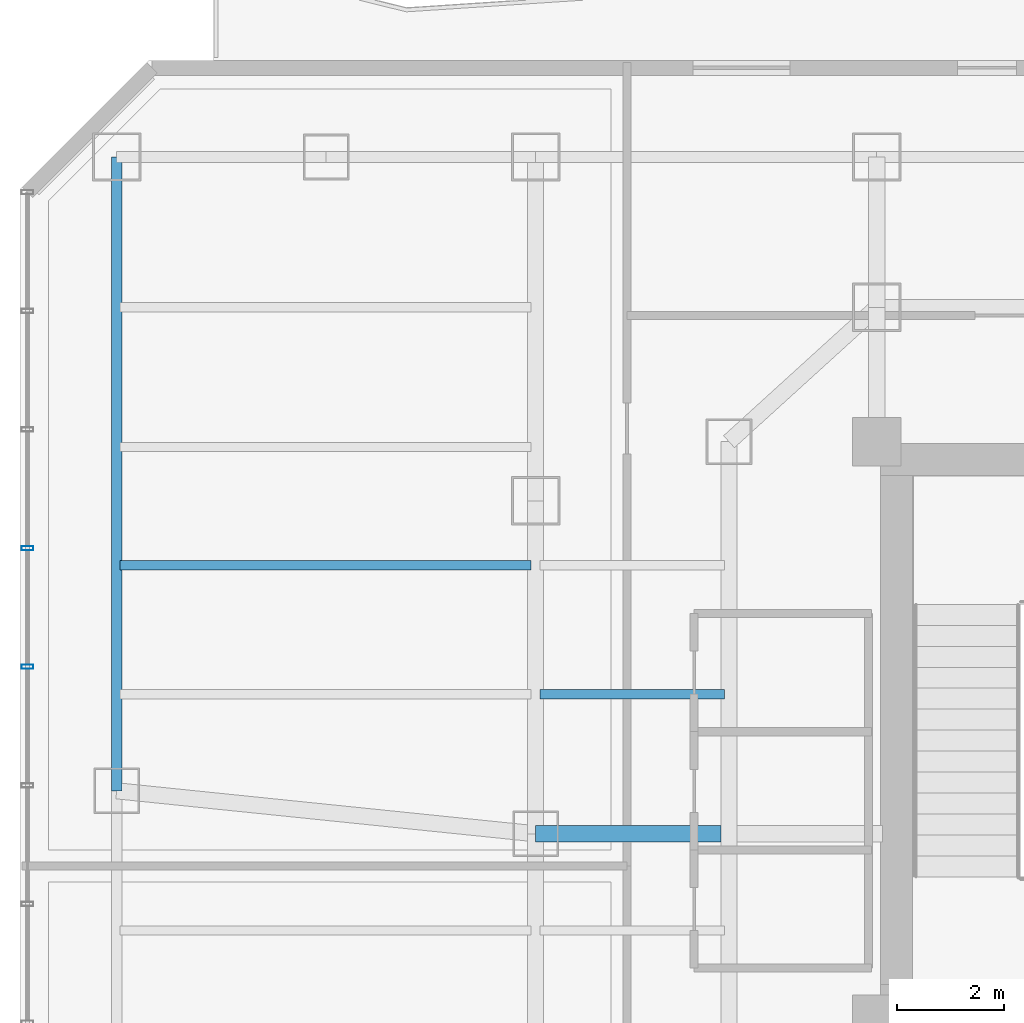
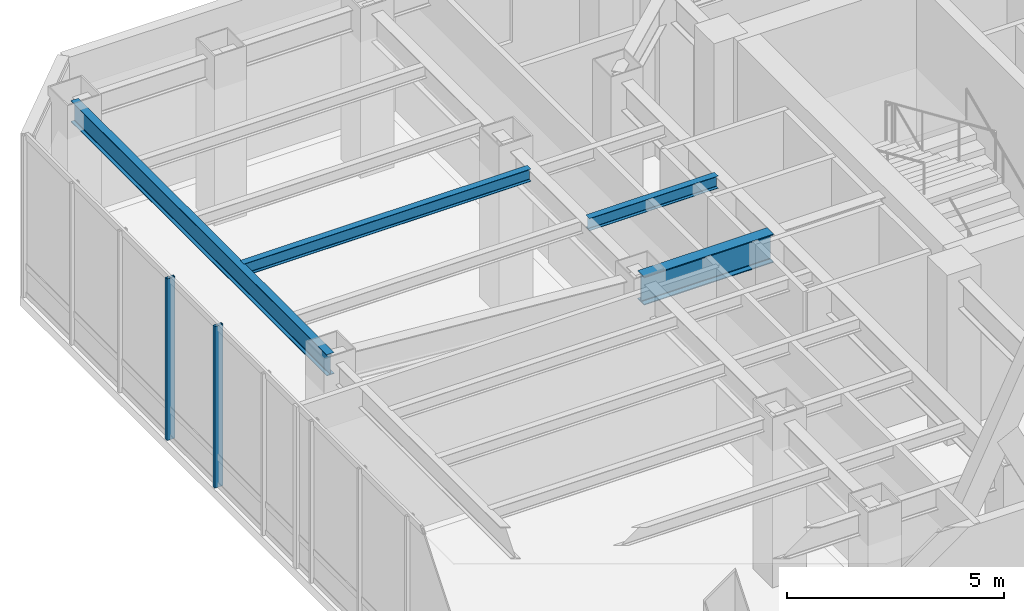
# One storey, part 13 of 27: 4 beams, 2 members, 1 element without a shape of its own.
"""IFC4 building model written with IfcOpenShell, lengths in metres."""

from ifc_helpers import new_model, si_unit, direction, frame, origin, origin_2d, place, context, subcontext, project, spatial, hollow_rectangle, i_section, extrude, material, layer, layer_set, material_profile, profile_set, type_object, element, aggregate, save


model = new_model("IFC4")

# Units and contexts
model_context = context("Model", 3, precision=1e-05, world=origin(), true_north=direction((0.0, 1.0)))
body_context = subcontext(model_context, "Body", "Model", "MODEL_VIEW")
ifc_project = project(units=[si_unit("LENGTHUNIT", "METRE"), si_unit("AREAUNIT", "SQUARE_METRE"), si_unit("VOLUMEUNIT", "CUBIC_METRE"), si_unit("PLANEANGLEUNIT", "RADIAN"), si_unit("MASSUNIT", "GRAM", prefix="KILO")], contexts=[model_context])

# Site, building, storey
site_placement = place(None, origin())
site = spatial("IfcSite", under=ifc_project, at=site_placement, CompositionType="ELEMENT")
building_placement = place(site_placement, origin())
building = spatial("IfcBuilding", under=site, at=building_placement, Name="Hatsunagi Terrace Concourse", CompositionType="ELEMENT")
storey_placement = place(building_placement, frame((0.0, 0.0, 96.449951171875)))
storey = spatial("IfcBuildingStorey", under=building, at=storey_placement, Name="L25", CompositionType="ELEMENT", Elevation=96.449951171875)

# Curtain wall, members
ifc_material_1 = material(Name="Anodised Aluminium Alloy 6063-T5", Category="aluminium")
ifc_layer = layer(ifc_material_1, 0.199951171875)
ifc_layer_set = layer_set([ifc_layer], Name="SkyLobbyAtrium_CW05")
curtain_wall_type = type_object("IfcCurtainWallType", Name="SkyLobbyAtrium_CW05", PredefinedType="NOTDEFINED", material=ifc_layer_set)
curtain_wall_placement = place(storey_placement, origin())
curtain_wall = element("IfcCurtainWall", 1, at=curtain_wall_placement, inside=storey, type_object=curtain_wall_type, Name="Unitised Curtain Wall CW-05 CW-L25-09", PredefinedType="NOTDEFINED")
ifc_material_2 = material(Name="Anodised Aluminium Alloy 6063-T5", Category="aluminium")
ifc_material_profile_1 = material_profile(ifc_material_2, hollow_rectangle(XDim=0.080078125, YDim=0.219970703125, WallThickness=0.0048828125, at=origin_2d()), Name="ALU-MUL-220x80x5")
ifc_profile_set_1 = profile_set([ifc_material_profile_1], Name="Anodised Aluminium Alloy 6063-T5")
member_type = type_object("IfcMemberType", Name="CurtainWallMullion_Heavy_220x80", PredefinedType="MULLION", material=ifc_profile_set_1)
member_1_placement = place(storey_placement, frame((9.739990234375, 39.10791015625, 0.0), z_axis=(0.0, 0.0, 1.0), x_axis=(0.0, 1.0, 0.0)))
member_1 = element("IfcMember", 2, at=member_1_placement, type_object=member_type, Name="Curtain Wall Mullion MUL-01", PredefinedType="MULLION", context=body_context, shape_type="SweptSolid", body=[
    extrude(hollow_rectangle(XDim=0.080078125, YDim=0.219970703125, WallThickness=0.0048828125, at=origin_2d()), origin(), (0.0, 0.0, 1.0), 4.550048828125),
])
member_2_placement = place(storey_placement, frame((9.739990234375, 41.31689453125, 0.0), z_axis=(0.0, 0.0, 1.0), x_axis=(0.0, 1.0, 0.0)))
member_2 = element("IfcMember", 3, at=member_2_placement, type_object=member_type, Name="Curtain Wall Mullion MUL-01", PredefinedType="MULLION", context=body_context, shape_type="SweptSolid", body=[
    extrude(hollow_rectangle(XDim=0.080078125, YDim=0.219970703125, WallThickness=0.0048828125, at=origin_2d()), origin(), (0.0, 0.0, 1.0), 4.550048828125),
])
aggregate(curtain_wall, [member_1, member_2])

# Beams
ifc_material_3 = material(Name="Steel SN490B", Category="steel")
ifc_material_profile_2 = material_profile(ifc_material_3, i_section(OverallWidth=0.175048828125, OverallDepth=0.35009765625, WebThickness=0.007080078125, FlangeThickness=0.010986328125, FilletRadius=0.012939453125, at=origin_2d()), Name="H-350x175x7x11")
ifc_profile_set_2 = profile_set([ifc_material_profile_2], Name="Steel SN490B")
beam_type_1 = type_object("IfcBeamType", Name="HotelJoist_H_350x175", PredefinedType="JOIST", material=ifc_profile_set_2)
beam_1_placement = place(storey_placement, frame((19.284912109375, 38.60009765625, 4.375), z_axis=(1.0, 0.0, 0.0), x_axis=(0.0, 1.0, 0.0)))
element("IfcBeam", 4, at=beam_1_placement, inside=storey, type_object=beam_type_1, Name="Beam J-02 J-L25-W-19-386", PredefinedType="JOIST", context=body_context, shape_type="SweptSolid", body=[
    extrude(i_section(OverallWidth=0.175048828125, OverallDepth=0.35009765625, WebThickness=0.007080078125, FlangeThickness=0.010986328125, FilletRadius=0.012939453125, at=origin_2d()), origin(), (0.0, 0.0, 1.0), 3.43017578125),
])
beam_2_placement = place(storey_placement, frame((11.465087890625, 41.0, 4.375), z_axis=(1.0, 0.0, 0.0), x_axis=(0.0, 1.0, 0.0)))
element("IfcBeam", 5, at=beam_2_placement, inside=storey, type_object=beam_type_1, Name="Beam J-02 J-L25-W-11-410", PredefinedType="JOIST", context=body_context, shape_type="SweptSolid", body=[
    extrude(i_section(OverallWidth=0.175048828125, OverallDepth=0.35009765625, WebThickness=0.007080078125, FlangeThickness=0.010986328125, FilletRadius=0.012939453125, at=origin_2d()), origin(), (0.0, 0.0, 1.0), 7.64990234375),
])
ifc_material_4 = material(Name="Steel SN490B", Category="steel")
ifc_material_profile_3 = material_profile(ifc_material_4, i_section(OverallWidth=0.199951171875, OverallDepth=0.60009765625, WebThickness=0.010986328125, FlangeThickness=0.01708984375, FilletRadius=0.01806640625, at=origin_2d()), Name="H-600x200x11x17")
ifc_profile_set_3 = profile_set([ifc_material_profile_3], Name="Steel SN490B")
beam_type_2 = type_object("IfcBeamType", Name="PerimeterSpandrel_H_600x200", PredefinedType="SPANDREL", material=ifc_profile_set_3)
beam_3_placement = place(storey_placement, frame((11.39990234375, 36.800048828125, 4.25), z_axis=(0.0, 1.0, 0.0), x_axis=(-1.0, 0.0, 0.0)))
element("IfcBeam", 6, at=beam_3_placement, inside=storey, type_object=beam_type_2, Name="Beam SP-01 BM-L25-NS-11-36", PredefinedType="SPANDREL", context=body_context, shape_type="SweptSolid", body=[
    extrude(i_section(OverallWidth=0.199951171875, OverallDepth=0.60009765625, WebThickness=0.010986328125, FlangeThickness=0.01708984375, FilletRadius=0.01806640625, at=origin_2d()), origin(), (0.0, 0.0, 1.0), 11.800048828125),
])
ifc_material_5 = material(Name="Steel SN490B", Category="steel")
ifc_material_profile_4 = material_profile(ifc_material_5, i_section(OverallWidth=0.300048828125, OverallDepth=0.800048828125, WebThickness=0.013916015625, FlangeThickness=0.02587890625, FilletRadius=0.02197265625, at=origin_2d()), Name="H-800x300x14x26")
ifc_profile_set_4 = profile_set([ifc_material_profile_4], Name="Steel SN490B")
beam_type_3 = type_object("IfcBeamType", Name="SkyLobbyGirder_H_800x300", PredefinedType="BEAM", material=ifc_profile_set_4)
beam_4_placement = place(storey_placement, frame((19.199951171875, 36.0, 4.150146484375), z_axis=(1.0, 0.0, 0.0), x_axis=(0.0, 1.0, 0.0)))
element("IfcBeam", 7, at=beam_4_placement, inside=storey, type_object=beam_type_3, Name="Beam G-03 BM-L25-EW-3", PredefinedType="BEAM", context=body_context, shape_type="SweptSolid", body=[
    extrude(i_section(OverallWidth=0.300048828125, OverallDepth=0.800048828125, WebThickness=0.013916015625, FlangeThickness=0.02587890625, FilletRadius=0.02197265625, at=origin_2d()), origin(), (0.0, 0.0, 1.0), 3.449951171875),
])

save(model, "model.ifc")
